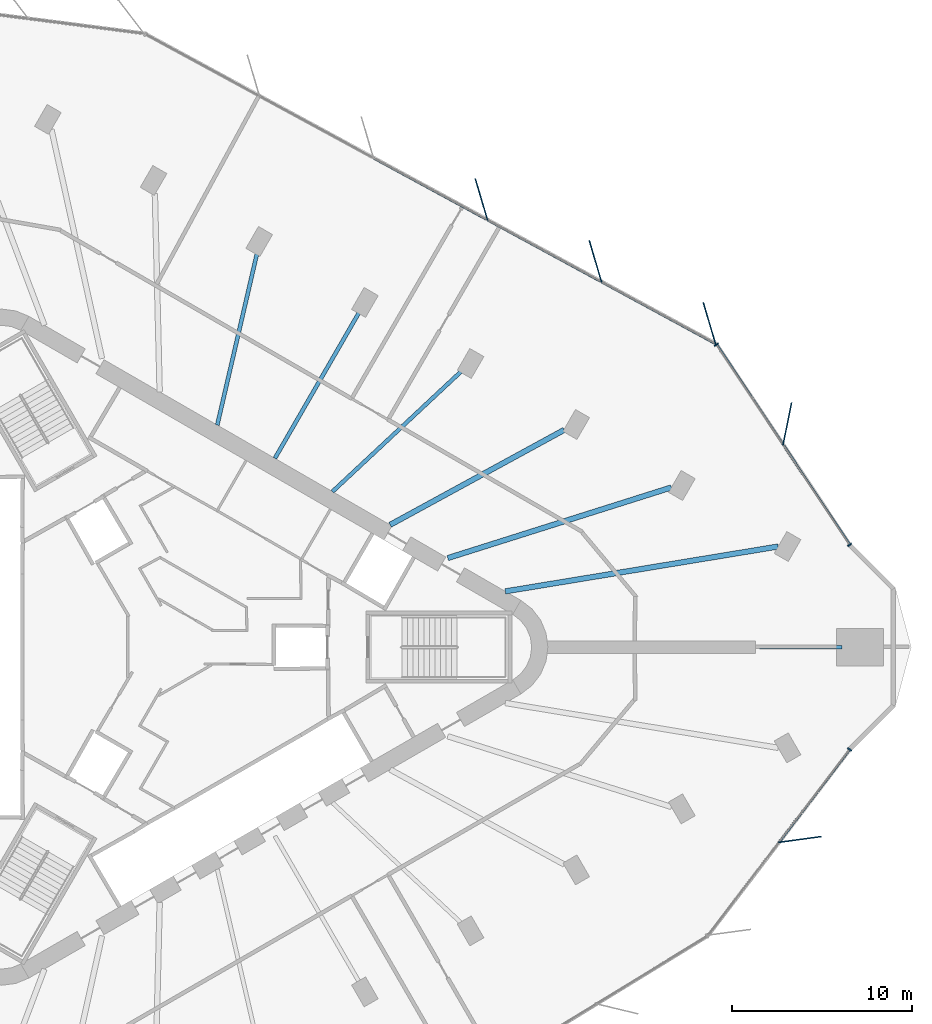
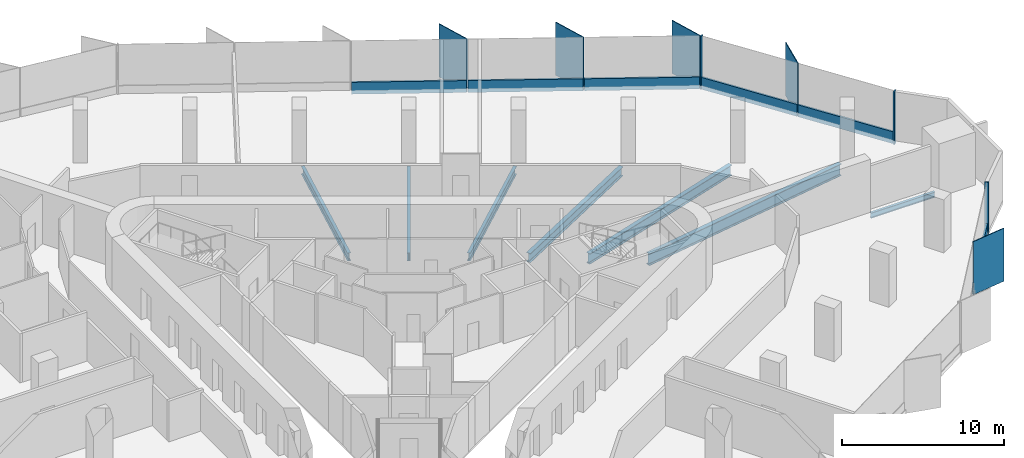
# One storey, part 5 of 14: 14 members, 7 beams, 3 elements without a shape of their own.
"""IFC4 building model written with IfcOpenShell, lengths in metres."""

from ifc_helpers import new_model, si_unit, direction, frame, origin, origin_2d, place, context, subcontext, project, spatial, rectangle, i_section, extrude, material, material_profile, profile_set, type_object, element, aggregate, save


model = new_model("IFC4")

# Units and contexts
model_context = context("Model", 3, precision=1e-05, world=origin(), true_north=direction((0.0, 1.0)))
body_context = subcontext(model_context, "Body", "Model", "MODEL_VIEW")
ifc_project = project(units=[si_unit("LENGTHUNIT", "METRE"), si_unit("AREAUNIT", "SQUARE_METRE"), si_unit("VOLUMEUNIT", "CUBIC_METRE"), si_unit("PLANEANGLEUNIT", "RADIAN"), si_unit("MASSUNIT", "GRAM", prefix="KILO")], contexts=[model_context])

# Site, building, storey
site_placement = place(None, origin())
site = spatial("IfcSite", under=ifc_project, at=site_placement, CompositionType="ELEMENT")
building_placement = place(site_placement, origin())
building = spatial("IfcBuilding", under=site, at=building_placement, Name="Tanit Gate Tower", CompositionType="ELEMENT")
storey_placement = place(building_placement, frame((0.0, 0.0, 217.199951171875)))
storey = spatial("IfcBuildingStorey", under=building, at=storey_placement, Name="L48", CompositionType="ELEMENT", Elevation=217.199951171875)

# Curtain wall, member
ifc_material_1 = material(Name="Aluminium bronze anodised and glass", Category="aluminium")
curtain_wall_type = type_object("IfcCurtainWallType", Name="Curtain wall typical mid", PredefinedType="NOTDEFINED", material=ifc_material_1)
curtain_wall_1_placement = place(storey_placement, origin())
curtain_wall_1 = element("IfcCurtainWall", 1, at=curtain_wall_1_placement, inside=storey, type_object=curtain_wall_type, Name="Curtain wall L48 NE1", PredefinedType="NOTDEFINED")
ifc_material_2 = material(Name="Aluminium bronze anodised", Category="aluminium")
ifc_material_profile_1 = material_profile(ifc_material_2, rectangle(XDim=2.39990234375, YDim=0.055908203125, at=origin_2d()), Name="56x2400 bronze fin mullion")
ifc_profile_set_1 = profile_set([ifc_material_profile_1], Name="Aluminium bronze anodised")
member_type_1 = type_object("IfcMemberType", Name="FIN MULLION 56x2400 bronze", PredefinedType="MULLION", material=ifc_profile_set_1)
member_1_placement = place(storey_placement, frame((34.483642578125, 12.392333984375, -0.300048828125), z_axis=(0.0, 0.0, 1.0), x_axis=(-0.19729527251, -0.980344110731, 0.0)))
member_1 = element("IfcMember", 2, at=member_1_placement, type_object=member_type_1, Name="Fin mullion L48 NE1.2", PredefinedType="MULLION", context=body_context, shape_type="SweptSolid", body=[
    extrude(rectangle(XDim=2.39990234375, YDim=0.055908203125, at=origin_2d()), origin(), (0.0, 0.0, 1.0), 4.0),
])

# Curtain wall, members
curtain_wall_2_placement = place(storey_placement, origin())
curtain_wall_2 = element("IfcCurtainWall", 3, at=curtain_wall_2_placement, inside=storey, type_object=curtain_wall_type, Name="Curtain wall L48 NE2", PredefinedType="NOTDEFINED")
member_2_placement = place(storey_placement, frame((30.165771484375, 17.973876953125, -0.300048828125), z_axis=(0.0, 0.0, 1.0), x_axis=(0.283905588939, -0.958852239174, 0.0)))
member_2 = element("IfcMember", 4, at=member_2_placement, type_object=member_type_1, Name="Fin mullion L48 NE2.1", PredefinedType="MULLION", context=body_context, shape_type="SweptSolid", body=[
    extrude(rectangle(XDim=2.39990234375, YDim=0.055908203125, at=origin_2d()), origin(), (0.0, 0.0, 1.0), 4.0),
])
member_3_placement = place(storey_placement, frame((23.8388671875, 21.409912109375, -0.300048828125), z_axis=(0.0, 0.0, 1.0), x_axis=(0.283905588939, -0.958852239174, 0.0)))
member_3 = element("IfcMember", 5, at=member_3_placement, type_object=member_type_1, Name="Fin mullion L48 NE2.2", PredefinedType="MULLION", context=body_context, shape_type="SweptSolid", body=[
    extrude(rectangle(XDim=2.39990234375, YDim=0.055908203125, at=origin_2d()), origin(), (0.0, 0.0, 1.0), 4.0),
])
member_4_placement = place(storey_placement, frame((17.51220703125, 24.845947265625, -0.300048828125), z_axis=(0.0, 0.0, 1.0), x_axis=(0.283905588939, -0.958852239174, 0.0)))
member_4 = element("IfcMember", 6, at=member_4_placement, type_object=member_type_1, Name="Fin mullion L48 NE2.3", PredefinedType="MULLION", context=body_context, shape_type="SweptSolid", body=[
    extrude(rectangle(XDim=2.39990234375, YDim=0.055908203125, at=origin_2d()), origin(), (0.0, 0.0, 1.0), 4.0),
])

# Curtain wall, member
curtain_wall_3_placement = place(storey_placement, origin())
curtain_wall_3 = element("IfcCurtainWall", 7, at=curtain_wall_3_placement, inside=storey, type_object=curtain_wall_type, Name="Curtain wall L48 SE3", PredefinedType="NOTDEFINED")
member_5_placement = place(storey_placement, frame((35.18603515625, -10.67041015625, -0.300048828125), z_axis=(0.0, 0.0, 1.0), x_axis=(-0.991049134388, -0.133497615066, 0.0)))
member_5 = element("IfcMember", 8, at=member_5_placement, type_object=member_type_1, Name="Fin mullion L48 SE3.2", PredefinedType="MULLION", context=body_context, shape_type="SweptSolid", body=[
    extrude(rectangle(XDim=2.39990234375, YDim=0.055908203125, at=origin_2d()), origin(), (0.0, 0.0, 1.0), 4.0),
])

# Member
ifc_material_3 = material(Name="Aluminium bronze anodised", Category="aluminium")
ifc_material_profile_2 = material_profile(ifc_material_3, rectangle(XDim=0.260009765625, YDim=0.080078125, at=origin_2d()), Name="80x260 bronze mullion")
ifc_profile_set_2 = profile_set([ifc_material_profile_2], Name="Aluminium bronze anodised")
member_type_2 = type_object("IfcMemberType", Name="Mullion 80x260 typical mid", PredefinedType="MULLION", material=ifc_profile_set_2)
member_6_placement = place(storey_placement, frame((37.9443359375, 5.68212890625, -0.300048828125), z_axis=(0.0, 0.0, 1.0), x_axis=(-0.832716793682, -0.553699143506, 0.0)))
member_6 = element("IfcMember", 9, at=member_6_placement, type_object=member_type_2, Name="Mullion L48 NE1.1", PredefinedType="MULLION", context=body_context, shape_type="SweptSolid", body=[
    extrude(rectangle(XDim=0.260009765625, YDim=0.080078125, at=origin_2d()), origin(), (0.0, 0.0, 1.0), 4.0),
])

member_7_placement = place(storey_placement, frame((30.5576171875, 16.791259765625, -0.300048828125), z_axis=(0.0, 0.0, 1.0), x_axis=(-0.832716793682, -0.553699143506, 0.0)))
member_7 = element("IfcMember", 10, at=member_7_placement, type_object=member_type_2, Name="Mullion L48 NE1.3", PredefinedType="MULLION", context=body_context, shape_type="SweptSolid", body=[
    extrude(rectangle(XDim=0.260009765625, YDim=0.080078125, at=origin_2d()), origin(), (0.0, 0.0, 1.0), 4.0),
])

member_8_placement = place(storey_placement, frame((37.945068359375, -5.677734375, -0.300048828125), z_axis=(0.0, 0.0, 1.0), x_axis=(-0.7951746323, 0.60638049453, 0.0)))
member_8 = element("IfcMember", 11, at=member_8_placement, type_object=member_type_2, Name="Mullion L48 SE3.3", PredefinedType="MULLION", context=body_context, shape_type="SweptSolid", body=[
    extrude(rectangle(XDim=0.260009765625, YDim=0.080078125, at=origin_2d()), origin(), (0.0, 0.0, 1.0), 4.0),
])

# Beams
ifc_material_4 = material(Name="Steel S355", Category="steel")
ifc_material_profile_3 = material_profile(ifc_material_4, i_section(OverallWidth=0.300048828125, OverallDepth=0.68994140625, WebThickness=0.014404296875, FlangeThickness=0.027099609375, FilletRadius=0.027099609375, at=origin_2d()), Name="HEA 700")
ifc_profile_set_3 = profile_set([ifc_material_profile_3], Name="Steel S355")
beam_type_1 = type_object("IfcBeamType", Name="RADIAL GIRDER HEA 700 S355", PredefinedType="BEAM", material=ifc_profile_set_3)
beam_1_placement = place(storey_placement, frame((22.1064453125, 12.059326171875, -0.64501953125), z_axis=(-0.877879464436, -0.478881661709, 0.0), x_axis=(0.478881661709, -0.877879464436, 0.0)))
element("IfcBeam", 12, at=beam_1_placement, inside=storey, type_object=beam_type_1, Name="RADIAL GIRDER", PredefinedType="BEAM", context=body_context, shape_type="SweptSolid", body=[
    extrude(i_section(OverallWidth=0.300048828125, OverallDepth=0.68994140625, WebThickness=0.014404296875, FlangeThickness=0.027099609375, FilletRadius=0.027099609375, at=origin_2d()), origin(), (0.0, 0.0, 1.0), 11.00537109375),
])
ifc_material_5 = material(Name="Steel S355", Category="steel")
ifc_material_profile_4 = material_profile(ifc_material_5, i_section(OverallWidth=0.300048828125, OverallDepth=0.7900390625, WebThickness=0.014892578125, FlangeThickness=0.028076171875, FilletRadius=0.030029296875, at=origin_2d()), Name="HEA 800")
ifc_profile_set_4 = profile_set([ifc_material_profile_4], Name="Steel S355")
beam_type_2 = type_object("IfcBeamType", Name="RADIAL GIRDER HEA 800 S355", PredefinedType="BEAM", material=ifc_profile_set_4)
beam_2_placement = place(storey_placement, frame((28.054443359375, 8.86572265625, -0.695068359375), z_axis=(-0.953523689029, -0.301318061957, 0.0), x_axis=(0.301318061957, -0.953523689029, 0.0)))
element("IfcBeam", 13, at=beam_2_placement, inside=storey, type_object=beam_type_2, Name="RADIAL GIRDER", PredefinedType="BEAM", context=body_context, shape_type="SweptSolid", body=[
    extrude(i_section(OverallWidth=0.300048828125, OverallDepth=0.7900390625, WebThickness=0.014892578125, FlangeThickness=0.028076171875, FilletRadius=0.030029296875, at=origin_2d()), origin(), (0.0, 0.0, 1.0), 13.017333984375),
])
ifc_material_6 = material(Name="Steel S355", Category="steel")
ifc_material_profile_5 = material_profile(ifc_material_6, i_section(OverallWidth=0.300048828125, OverallDepth=0.889892578125, WebThickness=0.01611328125, FlangeThickness=0.030029296875, FilletRadius=0.030029296875, at=origin_2d()), Name="HEA 900")
ifc_profile_set_5 = profile_set([ifc_material_profile_5], Name="Steel S355")
beam_type_3 = type_object("IfcBeamType", Name="RADIAL GIRDER HEA 900 S355", PredefinedType="BEAM", material=ifc_profile_set_5)
beam_3_placement = place(storey_placement, frame((33.979736328125, 5.5869140625, -0.744873046875), z_axis=(-0.986750224089, -0.162246711091, 0.0), x_axis=(0.162246711091, -0.986750224089, 0.0)))
element("IfcBeam", 14, at=beam_3_placement, inside=storey, type_object=beam_type_3, Name="RADIAL GIRDER", PredefinedType="BEAM", context=body_context, shape_type="SweptSolid", body=[
    extrude(i_section(OverallWidth=0.300048828125, OverallDepth=0.889892578125, WebThickness=0.01611328125, FlangeThickness=0.030029296875, FilletRadius=0.030029296875, at=origin_2d()), origin(), (0.0, 0.0, 1.0), 15.343994140625),
])
ifc_material_7 = material(Name="Steel S355", Category="steel")
ifc_material_profile_6 = material_profile(ifc_material_7, i_section(OverallWidth=0.179931640625, OverallDepth=0.39990234375, WebThickness=0.008544921875, FlangeThickness=0.013427734375, FilletRadius=0.02099609375, at=origin_2d()), Name="IPE 400")
ifc_profile_set_6 = profile_set([ifc_material_profile_6], Name="Steel S355")
beam_type_4 = type_object("IfcBeamType", Name="RADIAL GIRDER IPE 400 S355", PredefinedType="BEAM", material=ifc_profile_set_6)
beam_4_placement = place(storey_placement, frame((37.510986328125, 0.0, -0.5), z_axis=(-1.0, 0.0, 0.0), x_axis=(0.0, -1.0, 0.0)))
element("IfcBeam", 15, at=beam_4_placement, inside=storey, type_object=beam_type_4, Name="RADIAL GIRDER", PredefinedType="BEAM", context=body_context, shape_type="SweptSolid", body=[
    extrude(i_section(OverallWidth=0.179931640625, OverallDepth=0.39990234375, WebThickness=0.008544921875, FlangeThickness=0.013427734375, FilletRadius=0.02099609375, at=origin_2d()), origin(), (0.0, 0.0, 1.0), 4.567138671875),
])
ifc_material_8 = material(Name="Steel S355", Category="steel")
ifc_material_profile_7 = material_profile(ifc_material_8, i_section(OverallWidth=0.219970703125, OverallDepth=0.60009765625, WebThickness=0.011962890625, FlangeThickness=0.01904296875, FilletRadius=0.02392578125, at=origin_2d()), Name="IPE 600")
ifc_profile_set_7 = profile_set([ifc_material_profile_7], Name="Steel S355")
beam_type_5 = type_object("IfcBeamType", Name="RADIAL GIRDER IPE 600 S355", PredefinedType="BEAM", material=ifc_profile_set_7)
beam_5_placement = place(storey_placement, frame((16.427490234375, 15.338134765625, -0.599853515625), z_axis=(-0.730925486912, -0.68245727528, 0.0), x_axis=(0.68245727528, -0.730925486912, 0.0)))
element("IfcBeam", 16, at=beam_5_placement, inside=storey, type_object=beam_type_5, Name="RADIAL GIRDER", PredefinedType="BEAM", context=body_context, shape_type="SweptSolid", body=[
    extrude(i_section(OverallWidth=0.219970703125, OverallDepth=0.60009765625, WebThickness=0.011962890625, FlangeThickness=0.01904296875, FilletRadius=0.02392578125, at=origin_2d()), origin(), (0.0, 0.0, 1.0), 9.822509765625),
])
beam_6_placement = place(storey_placement, frame((10.74853515625, 18.616943359375, -0.599853515625), z_axis=(-0.500004383815, -0.866022872773, 0.0), x_axis=(0.866022872773, -0.500004383815, 0.0)))
element("IfcBeam", 17, at=beam_6_placement, inside=storey, type_object=beam_type_5, Name="RADIAL GIRDER", PredefinedType="BEAM", context=body_context, shape_type="SweptSolid", body=[
    extrude(i_section(OverallWidth=0.219970703125, OverallDepth=0.60009765625, WebThickness=0.011962890625, FlangeThickness=0.01904296875, FilletRadius=0.02392578125, at=origin_2d()), origin(), (0.0, 0.0, 1.0), 9.39501953125),
])
beam_7_placement = place(storey_placement, frame((5.069580078125, 21.8955078125, -0.599853515625), z_axis=(-0.225567421981, -0.974227559732, 0.0), x_axis=(0.974227559732, -0.225567421981, 0.0)))
element("IfcBeam", 18, at=beam_7_placement, inside=storey, type_object=beam_type_5, Name="RADIAL GIRDER", PredefinedType="BEAM", context=body_context, shape_type="SweptSolid", body=[
    extrude(i_section(OverallWidth=0.219970703125, OverallDepth=0.60009765625, WebThickness=0.011962890625, FlangeThickness=0.01904296875, FilletRadius=0.02392578125, at=origin_2d()), origin(), (0.0, 0.0, 1.0), 9.822265625),
])

# Member
ifc_material_9 = material(Name="Aluminium bronze anodised", Category="aluminium")
ifc_material_profile_8 = material_profile(ifc_material_9, rectangle(XDim=0.139892578125, YDim=0.89990234375, at=origin_2d()), Name="140x900 bronze transom")
ifc_profile_set_8 = profile_set([ifc_material_profile_8], Name="Aluminium bronze anodised")
member_type_3 = type_object("IfcMemberType", Name="Transom 140x900 typical mid", PredefinedType="USERDEFINED", material=ifc_profile_set_8)
member_9_placement = place(storey_placement, frame((37.92236328125, 5.71533203125, 0.150146484375), z_axis=(-0.553699602153, 0.832716488714, 0.0), x_axis=(-0.832716488714, -0.553699602153, 0.0)))
member_9 = element("IfcMember", 19, at=member_9_placement, type_object=member_type_3, Name="Transom L48 NE1.1", ObjectType="TRANSOM", PredefinedType="USERDEFINED", context=body_context, shape_type="SweptSolid", body=[
    extrude(rectangle(XDim=0.139892578125, YDim=0.89990234375, at=origin_2d()), origin(), (0.0, 0.0, 1.0), 6.590576171875),
])

member_10_placement = place(storey_placement, frame((34.22900390625, 11.27001953125, 0.150146484375), z_axis=(-0.553716682709, 0.832705131058, 0.0), x_axis=(-0.832705131058, -0.553716682709, 0.0)))
member_10 = element("IfcMember", 20, at=member_10_placement, type_object=member_type_3, Name="Transom L48 NE1.2", ObjectType="TRANSOM", PredefinedType="USERDEFINED", context=body_context, shape_type="SweptSolid", body=[
    extrude(rectangle(XDim=0.139892578125, YDim=0.89990234375, at=origin_2d()), origin(), (0.0, 0.0, 1.0), 6.59033203125),
])

aggregate(curtain_wall_1, [member_6, member_1, member_7, member_9, member_10])

member_11_placement = place(storey_placement, frame((30.46533203125, 16.862548828125, 0.150146484375), z_axis=(-0.878764273832, 0.477256064432, 0.0), x_axis=(-0.477256064432, -0.878764273832, 0.0)))
member_11 = element("IfcMember", 21, at=member_11_placement, type_object=member_type_3, Name="Transom L48 NE2.1", ObjectType="TRANSOM", PredefinedType="USERDEFINED", context=body_context, shape_type="SweptSolid", body=[
    extrude(rectangle(XDim=0.139892578125, YDim=0.89990234375, at=origin_2d()), origin(), (0.0, 0.0, 1.0), 7.119873046875),
])

member_12_placement = place(storey_placement, frame((24.138427734375, 20.298828125, 0.150146484375), z_axis=(-0.878770844888, 0.477243965048, 0.0), x_axis=(-0.477243965048, -0.878770844888, 0.0)))
member_12 = element("IfcMember", 22, at=member_12_placement, type_object=member_type_3, Name="Transom L48 NE2.2", ObjectType="TRANSOM", PredefinedType="USERDEFINED", context=body_context, shape_type="SweptSolid", body=[
    extrude(rectangle(XDim=0.139892578125, YDim=0.89990234375, at=origin_2d()), origin(), (0.0, 0.0, 1.0), 7.119384765625),
])

member_13_placement = place(storey_placement, frame((17.811767578125, 23.73486328125, 0.150146484375), z_axis=(-0.878770844888, 0.477243965048, 0.0), x_axis=(-0.477243965048, -0.878770844888, 0.0)))
member_13 = element("IfcMember", 23, at=member_13_placement, type_object=member_type_3, Name="Transom L48 NE2.3", ObjectType="TRANSOM", PredefinedType="USERDEFINED", context=body_context, shape_type="SweptSolid", body=[
    extrude(rectangle(XDim=0.139892578125, YDim=0.89990234375, at=origin_2d()), origin(), (0.0, 0.0, 1.0), 7.119384765625),
])

aggregate(curtain_wall_2, [member_2, member_3, member_4, member_11, member_12, member_13])

member_14_placement = place(storey_placement, frame((34.042236328125, -10.7958984375, 0.150146484375), z_axis=(0.606387006, 0.795169666772, 0.0), x_axis=(-0.795169666772, 0.606387006, 0.0)))
member_14 = element("IfcMember", 24, at=member_14_placement, type_object=member_type_3, Name="Transom L48 SE3.2", ObjectType="TRANSOM", PredefinedType="USERDEFINED", context=body_context, shape_type="SweptSolid", body=[
    extrude(rectangle(XDim=0.139892578125, YDim=0.89990234375, at=origin_2d()), origin(), (0.0, 0.0, 1.0), 6.396240234375),
])

aggregate(curtain_wall_3, [member_5, member_8, member_14])

save(model, "model.ifc")
